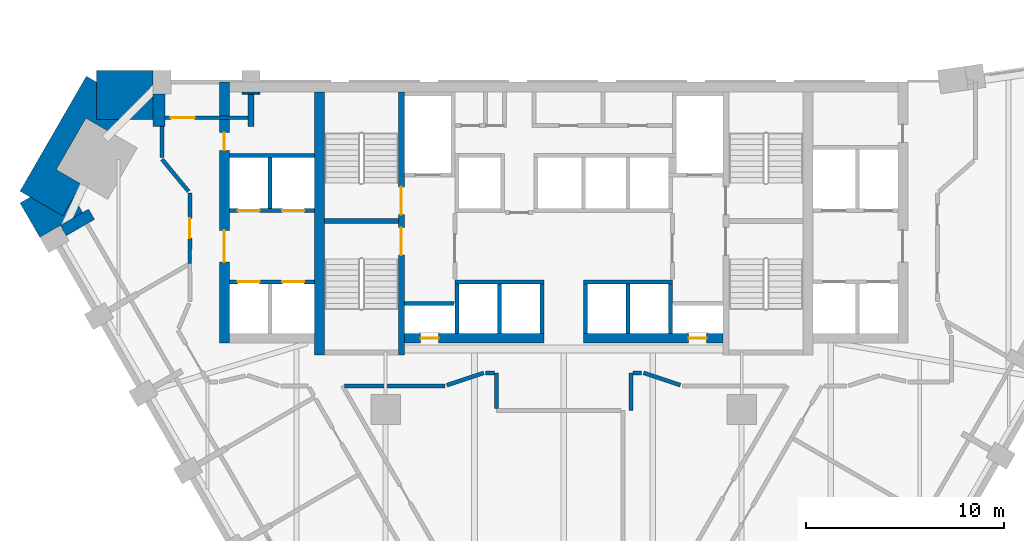
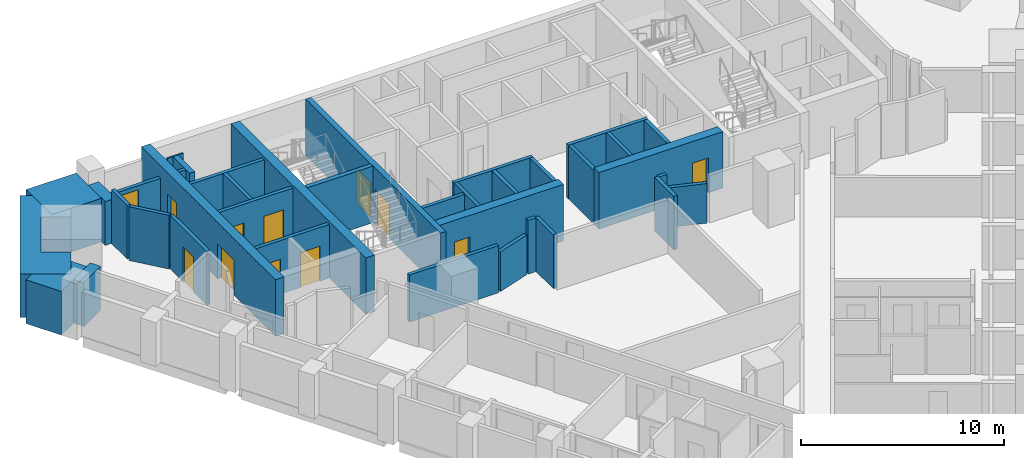
# One storey, part 6 of 10: 37 walls, 12 doors, 12 openings.
"""IFC4 building model written with IfcOpenShell, lengths in metres."""

from ifc_helpers import new_model, si_unit, direction, frame, frame_2d, origin, place, context, subcontext, project, spatial, polyline, rectangle, outline, extrude, material, layer, layer_set, type_object, element, fill, save


model = new_model("IFC4")

# Units and contexts
model_context = context("Model", 3, precision=1e-05, world=origin(), true_north=direction((0.0, 1.0)))
body_context = subcontext(model_context, "Body", "Model", "MODEL_VIEW")
ifc_project = project(units=[si_unit("LENGTHUNIT", "METRE"), si_unit("AREAUNIT", "SQUARE_METRE"), si_unit("VOLUMEUNIT", "CUBIC_METRE"), si_unit("PLANEANGLEUNIT", "RADIAN"), si_unit("MASSUNIT", "GRAM", prefix="KILO")], contexts=[model_context])

# Site, building, storey
site_placement = place(None, origin())
site = spatial("IfcSite", under=ifc_project, at=site_placement, CompositionType="ELEMENT")
building_placement = place(site_placement, origin())
building = spatial("IfcBuilding", under=site, at=building_placement, Name="Calabash Gate Tower", CompositionType="ELEMENT")
storey_placement = place(building_placement, frame((0.0, 0.0, 95.199951171875)))
storey = spatial("IfcBuildingStorey", under=building, at=storey_placement, Name="L20", CompositionType="ELEMENT", Elevation=95.199951171875)

# Walls
ifc_material_1 = material(Name="Terracotta brick masonry, exposed face", Category="masonry")
ifc_layer_1 = layer(ifc_material_1, 2.5)
ifc_layer_set_1 = layer_set([ifc_layer_1], Name="Brick corner mass wall 2500")
wall_type_1 = type_object("IfcWallType", Name="Brick corner mass wall 2500", PredefinedType="SOLIDWALL", material=ifc_layer_set_1)
wall_1_placement = place(storey_placement, origin())
element("IfcWall", 1, at=wall_1_placement, inside=storey, type_object=wall_type_1, Name="Brick corner pier S05 3a", PredefinedType="SOLIDWALL", context=body_context, shape_type="SweptSolid", body=[
    extrude(outline(polyline([(-23.610107421875, 17.152587890625), (-20.755126953125, 17.152587890625), (-20.755126953125, 19.652587890625), (-23.610107421875, 19.652587890625), (-23.610107421875, 17.152587890625)])), origin(), (0.0, 0.0, 1.0), 2.630126953125),
])
wall_2_placement = place(storey_placement, origin())
element("IfcWall", 2, at=wall_2_placement, inside=storey, type_object=wall_type_1, Name="Brick corner pier S05 3b", PredefinedType="SOLIDWALL", context=body_context, shape_type="SweptSolid", body=[
    extrude(outline(polyline([(-22.89111328125, 16.498046875), (-22.51318359375, 17.152587890625), (-23.610107421875, 17.152587890625), (-23.610107421875, 19.052490234375), (-24.1298828125, 19.3525390625), (-27.485107421875, 13.540771484375), (-25.320068359375, 12.290771484375), (-24.39111328125, 13.89990234375), (-25.652099609375, 14.6279296875), (-24.152099609375, 17.22607421875), (-22.89111328125, 16.498046875)])), origin(), (0.0, 0.0, 1.0), 2.630126953125),
])
wall_3_placement = place(storey_placement, origin())
element("IfcWall", 3, at=wall_3_placement, inside=storey, type_object=wall_type_1, Name="Brick corner pier S05 3c", PredefinedType="SOLIDWALL", context=body_context, shape_type="SweptSolid", body=[
    extrude(outline(polyline([(-24.771728515625, 13.240966796875), (-25.320068359375, 12.290771484375), (-26.965576171875, 13.240966796875), (-27.485107421875, 12.94091796875), (-26.4853515625, 11.208984375), (-24.3203125, 12.458984375), (-24.771728515625, 13.240966796875)])), origin(), (0.0, 0.0, 1.0), 2.630126953125),
])
ifc_material_2 = material(Name="Terracotta brick masonry, exposed face", Category="masonry")
ifc_layer_2 = layer(ifc_material_2, 1.199951171875)
ifc_layer_set_2 = layer_set([ifc_layer_2], Name="Brick end wall 1200")
wall_type_2 = type_object("IfcWallType", Name="Brick end wall 1200", PredefinedType="SOLIDWALL", material=ifc_layer_set_2)
wall_4_placement = place(storey_placement, origin())
element("IfcWall", 4, at=wall_4_placement, inside=storey, type_object=wall_type_2, Name="Brick pier S05 N6.7b", PredefinedType="SOLIDWALL", context=body_context, shape_type="SweptSolid", body=[
    extrude(outline(polyline([(-15.35498046875, 18.45263671875), (-15.35498046875, 18.552490234375), (-16.255126953125, 18.552490234375), (-16.255126953125, 18.45263671875), (-15.35498046875, 18.45263671875)])), origin(), (0.0, 0.0, 1.0), 2.650146484375),
])
ifc_material_3 = material(Name="Terracotta brick masonry, exposed face", Category="masonry")
ifc_layer_3 = layer(ifc_material_3, 0.300048828125)
ifc_layer_set_3 = layer_set([ifc_layer_3], Name="Brick loggia cheek wall 300")
wall_type_3 = type_object("IfcWallType", Name="Brick loggia cheek wall 300", PredefinedType="SOLIDWALL", material=ifc_layer_set_3)
wall_5_placement = place(storey_placement, frame((-25.296142578125, 11.54931640625, 0.0), z_axis=(0.0, 0.0, 1.0), x_axis=(0.866040211805, 0.499974350878, 0.0)))
element("IfcWall", 5, at=wall_5_placement, inside=storey, type_object=wall_type_3, Name="Loggia cheek S05 SW0.0", PredefinedType="SOLIDWALL", context=body_context, shape_type="SweptSolid", body=[
    extrude(rectangle(XDim=1.64990234375, YDim=0.60009765625, at=frame_2d((0.824951171875, 0.0))), origin(), (0.0, 0.0, 1.0), 2.630126953125),
])
wall_6_placement = place(storey_placement, origin())
element("IfcWall", 6, at=wall_6_placement, inside=storey, type_object=wall_type_3, Name="Loggia cheek S05 N6.7", PredefinedType="SOLIDWALL", context=body_context, shape_type="SweptSolid", body=[
    extrude(outline(polyline([(-15.655029296875, 16.802490234375), (-15.655029296875, 18.45263671875), (-15.955078125, 18.45263671875), (-15.955078125, 16.802490234375), (-15.655029296875, 16.802490234375)])), origin(), (0.0, 0.0, 1.0), 2.650146484375),
])
wall_7_placement = place(storey_placement, origin())
element("IfcWall", 7, at=wall_7_placement, inside=storey, type_object=wall_type_3, Name="Loggia cheek S05 N6.8", PredefinedType="SOLIDWALL", context=body_context, shape_type="SweptSolid", body=[
    extrude(outline(polyline([(-20.755126953125, 18.45263671875), (-20.755126953125, 16.802490234375), (-20.155029296875, 16.802490234375), (-20.155029296875, 18.45263671875), (-20.755126953125, 18.45263671875)])), origin(), (0.0, 0.0, 1.0), 2.630126953125),
])
ifc_material_4 = material(Name="Concrete C80/95", Category="concrete")
ifc_layer_4 = layer(ifc_material_4, 0.25)
ifc_layer_set_4 = layer_set([ifc_layer_4], Name="Core wall 250 Concrete C80/95")
wall_type_4 = type_object("IfcWallType", Name="Core wall 250 Concrete C80/95", PredefinedType="SHEAR", material=ifc_layer_set_4)
wall_8_placement = place(storey_placement, frame((-12.10009765625, 12.027587890625, 0.0), z_axis=(0.0, 0.0, 1.0), x_axis=(1.0, 0.0, 0.0)))
element("IfcWall", 8, at=wall_8_placement, inside=storey, type_object=wall_type_4, Name="Core wall Z2-MIDW L20", PredefinedType="SHEAR", context=body_context, shape_type="SweptSolid", body=[
    extrude(rectangle(XDim=3.75, YDim=0.25, at=frame_2d((1.875, 0.0))), origin(), (0.0, 0.0, 1.0), 3.400146484375),
])

# Wall, openings, doors
ifc_material_5 = material(Name="Concrete C80/95", Category="concrete")
ifc_layer_5 = layer(ifc_material_5, 0.300048828125)
ifc_layer_set_5 = layer_set([ifc_layer_5], Name="Core wall 300 Concrete C80/95")
wall_type_5 = type_object("IfcWallType", Name="Core wall 300 Concrete C80/95", PredefinedType="SHEAR", material=ifc_layer_set_5)
wall_9_placement = place(storey_placement, frame((-8.199951171875, 5.252685546875, 0.0), z_axis=(0.0, 0.0, 1.0), x_axis=(0.0, 1.0, 0.0)))
wall_9 = element("IfcWall", 9, at=wall_9_placement, inside=storey, type_object=wall_type_5, Name="Core wall Z2-PARTW L20", PredefinedType="SHEAR", context=body_context, shape_type="SweptSolid", body=[
    extrude(rectangle(XDim=13.2998046875, YDim=0.300048828125, at=frame_2d((6.64990234375, 0.0))), origin(), (0.0, 0.0, 1.0), 3.400146484375),
])
opening_1_placement = place(wall_9_placement, frame((7.10009765625, 0.0, 0.0)))
opening_1 = element("IfcOpeningElement", 10, at=opening_1_placement, cuts=wall_9, Name="Opening H5-014", PredefinedType="OPENING", context=body_context, shape_type="SweptSolid", body=[
    extrude(rectangle(XDim=1.39990234375, YDim=2.10009765625, at=frame_2d((0.699951171875, 1.050048828125))), frame((0.0, 0.159912109375, 0.0), z_axis=(0.0, -1.0, 0.0), x_axis=(1.0, 0.0, 0.0)), (0.0, 0.0, 1.0), 0.320068359375),
])
opening_2_placement = place(wall_9_placement, frame((5.050048828125, 0.0, 0.0)))
opening_2 = element("IfcOpeningElement", 11, at=opening_2_placement, cuts=wall_9, Name="Opening H5-015", PredefinedType="OPENING", context=body_context, shape_type="SweptSolid", body=[
    extrude(rectangle(XDim=1.39990234375, YDim=2.10009765625, at=frame_2d((0.699951171875, 1.050048828125))), frame((0.0, 0.159912109375, 0.0), z_axis=(0.0, -1.0, 0.0), x_axis=(1.0, 0.0, 0.0)), (0.0, 0.0, 1.0), 0.320068359375),
])
ifc_material_6 = material(Name="Steel fire door set with fire-resisting glazing", Category="steel")
door_type_1 = type_object("IfcDoorType", Name="Fire door D05 1400x2100 FD90", OperationType="NOTDEFINED", PredefinedType="DOOR", material=ifc_material_6)
door_1_placement = place(opening_1_placement, origin())
door_1 = element("IfcDoor", 12, at=door_1_placement, inside=storey, type_object=door_type_1, Name="Exit stair door ST1", OperationType="SINGLE_SWING_LEFT", OverallHeight=2.10009765625, OverallWidth=1.39990234375, PredefinedType="DOOR", context=body_context, shape_type="SweptSolid", body=[
    extrude(rectangle(XDim=1.39990234375, YDim=2.10009765625, at=frame_2d((0.699951171875, 1.050048828125))), frame((0.0, 0.02490234375, 0.0), z_axis=(0.0, -1.0, 0.0), x_axis=(1.0, 0.0, 0.0)), (0.0, 0.0, 1.0), 0.050048828125),
])
fill(opening_1, door_1)
door_2_placement = place(opening_2_placement, origin())
door_2 = element("IfcDoor", 13, at=door_2_placement, inside=storey, type_object=door_type_1, Name="Exit stair door ST2", OperationType="SINGLE_SWING_LEFT", OverallHeight=2.10009765625, OverallWidth=1.39990234375, PredefinedType="DOOR", context=body_context, shape_type="SweptSolid", body=[
    extrude(rectangle(XDim=1.39990234375, YDim=2.10009765625, at=frame_2d((0.699951171875, 1.050048828125))), frame((0.0, 0.02490234375, 0.0), z_axis=(0.0, -1.0, 0.0), x_axis=(1.0, 0.0, 0.0)), (0.0, 0.0, 1.0), 0.050048828125),
])
fill(opening_2, door_2)

# Wall
ifc_material_7 = material(Name="Concrete C80/95", Category="concrete")
ifc_layer_6 = layer(ifc_material_7, 0.5)
ifc_layer_set_6 = layer_set([ifc_layer_6], Name="Core wall 500 Concrete C80/95")
wall_type_6 = type_object("IfcWallType", Name="Core wall 500 Concrete C80/95", PredefinedType="SHEAR", material=ifc_layer_set_6)
wall_10_placement = place(storey_placement, frame((-12.35009765625, 5.252685546875, 0.0), z_axis=(0.0, 0.0, 1.0), x_axis=(0.0, 1.0, 0.0)))
element("IfcWall", 14, at=wall_10_placement, inside=storey, type_object=wall_type_6, Name="Core wall Z2-COLW L20", PredefinedType="SHEAR", context=body_context, shape_type="SweptSolid", body=[
    extrude(rectangle(XDim=13.2998046875, YDim=0.5, at=frame_2d((6.64990234375, 0.0))), origin(), (0.0, 0.0, 1.0), 3.400146484375),
])

# Wall, opening, door
wall_11_placement = place(storey_placement, frame((-8.050048828125, 6.1025390625, 0.0), z_axis=(0.0, 0.0, 1.0), x_axis=(1.0, 0.0, 0.0)))
wall_11 = element("IfcWall", 15, at=wall_11_placement, inside=storey, type_object=wall_type_6, Name="Core wall Z2-SA L20", PredefinedType="SHEAR", context=body_context, shape_type="SweptSolid", body=[
    extrude(rectangle(XDim=7.050048828125, YDim=0.5, at=frame_2d((3.52490234375, 0.0))), origin(), (0.0, 0.0, 1.0), 3.400146484375),
])
opening_3_placement = place(wall_11_placement, frame((0.824951171875, 0.0, 0.0)))
opening_3 = element("IfcOpeningElement", 16, at=opening_3_placement, cuts=wall_11, Name="Opening H5-013", PredefinedType="OPENING", context=body_context, shape_type="SweptSolid", body=[
    extrude(rectangle(XDim=0.89990234375, YDim=2.10009765625, at=frame_2d((0.449951171875, 1.050048828125))), frame((0.0, 0.260009765625, 0.0), z_axis=(0.0, -1.0, 0.0), x_axis=(1.0, 0.0, 0.0)), (0.0, 0.0, 1.0), 0.52001953125),
])
ifc_material_8 = material(Name="Steel fire door set with fire-resisting glazing", Category="steel")
door_type_2 = type_object("IfcDoorType", Name="Fire door D07 900x2100 FD90", OperationType="NOTDEFINED", PredefinedType="DOOR", material=ifc_material_8)
door_3_placement = place(opening_3_placement, origin())
door_3 = element("IfcDoor", 17, at=door_3_placement, inside=storey, type_object=door_type_2, Name="Electrical Riser W door", OperationType="SINGLE_SWING_LEFT", OverallHeight=2.10009765625, OverallWidth=0.89990234375, PredefinedType="DOOR", context=body_context, shape_type="SweptSolid", body=[
    extrude(rectangle(XDim=0.89990234375, YDim=2.10009765625, at=frame_2d((0.449951171875, 1.050048828125))), frame((0.0, 0.02490234375, 0.0), z_axis=(0.0, -1.0, 0.0), x_axis=(1.0, 0.0, 0.0)), (0.0, 0.0, 1.0), 0.050048828125),
])
fill(opening_3, door_3)

wall_12_placement = place(storey_placement, frame((1.0, 6.1025390625, 0.0), z_axis=(0.0, 0.0, 1.0), x_axis=(1.0, 0.0, 0.0)))
wall_12 = element("IfcWall", 18, at=wall_12_placement, inside=storey, type_object=wall_type_6, Name="Core wall Z2-SB L20", PredefinedType="SHEAR", context=body_context, shape_type="SweptSolid", body=[
    extrude(rectangle(XDim=7.050048828125, YDim=0.5, at=frame_2d((3.52490234375, 0.0))), origin(), (0.0, 0.0, 1.0), 3.400146484375),
])
opening_4_placement = place(wall_12_placement, frame((5.324951171875, 0.0, 0.0)))
opening_4 = element("IfcOpeningElement", 19, at=opening_4_placement, cuts=wall_12, Name="Opening H5-012", PredefinedType="OPENING", context=body_context, shape_type="SweptSolid", body=[
    extrude(rectangle(XDim=0.89990234375, YDim=2.10009765625, at=frame_2d((0.449951171875, 1.050048828125))), frame((0.0, 0.260009765625, 0.0), z_axis=(0.0, -1.0, 0.0), x_axis=(1.0, 0.0, 0.0)), (0.0, 0.0, 1.0), 0.52001953125),
])
door_4_placement = place(opening_4_placement, origin())
door_4 = element("IfcDoor", 20, at=door_4_placement, inside=storey, type_object=door_type_2, Name="Mechanical Riser E door", OperationType="SINGLE_SWING_RIGHT", OverallHeight=2.10009765625, OverallWidth=0.89990234375, PredefinedType="DOOR", context=body_context, shape_type="SweptSolid", body=[
    extrude(rectangle(XDim=0.89990234375, YDim=2.10009765625, at=frame_2d((0.449951171875, 1.050048828125))), frame((0.0, 0.02490234375, 0.0), z_axis=(0.0, -1.0, 0.0), x_axis=(1.0, 0.0, 0.0)), (0.0, 0.0, 1.0), 0.050048828125),
])
fill(opening_4, door_4)

# Wall, openings, doors
wall_13_placement = place(storey_placement, frame((-17.14990234375, 5.8525390625, 0.0), z_axis=(0.0, 0.0, 1.0), x_axis=(0.0, 1.0, 0.0)))
wall_13 = element("IfcWall", 21, at=wall_13_placement, inside=storey, type_object=wall_type_6, Name="Core wall Z2-ENDW L20", PredefinedType="SHEAR", context=body_context, shape_type="SweptSolid", body=[
    extrude(rectangle(XDim=13.199951171875, YDim=0.5, at=frame_2d((6.60009765625, 0.0))), origin(), (0.0, 0.0, 1.0), 3.400146484375),
])
opening_5_placement = place(wall_13_placement, frame((4.10009765625, 0.0, 0.0)))
opening_5 = element("IfcOpeningElement", 22, at=opening_5_placement, cuts=wall_13, Name="Opening H5-003", PredefinedType="OPENING", context=body_context, shape_type="SweptSolid", body=[
    extrude(rectangle(XDim=1.60009765625, YDim=2.10009765625, at=frame_2d((0.800048828125, 1.050048828125))), frame((0.0, 0.260009765625, 0.0), z_axis=(0.0, -1.0, 0.0), x_axis=(1.0, 0.0, 0.0)), (0.0, 0.0, 1.0), 0.52001953125),
])
opening_6_placement = place(wall_13_placement, frame((9.75, 0.0, 0.0)))
opening_6 = element("IfcOpeningElement", 23, at=opening_6_placement, cuts=wall_13, Name="Opening H5-004", PredefinedType="OPENING", context=body_context, shape_type="SweptSolid", body=[
    extrude(rectangle(XDim=0.89990234375, YDim=2.10009765625, at=frame_2d((0.449951171875, 1.050048828125))), frame((0.0, 0.260009765625, 0.0), z_axis=(0.0, -1.0, 0.0), x_axis=(1.0, 0.0, 0.0)), (0.0, 0.0, 1.0), 0.52001953125),
])
ifc_material_9 = material(Name="Steel fire door set with fire-resisting glazing", Category="steel")
door_type_3 = type_object("IfcDoorType", Name="Double fire door D08 1600x2100 FD60", OperationType="DOUBLE_DOOR_SINGLE_SWING", PredefinedType="DOOR", material=ifc_material_9)
door_5_placement = place(opening_5_placement, origin())
door_5 = element("IfcDoor", 24, at=door_5_placement, inside=storey, type_object=door_type_3, Name="Low-rise Lift Lobby W door", OperationType="DOUBLE_DOOR_SINGLE_SWING", OverallHeight=2.10009765625, OverallWidth=1.60009765625, PredefinedType="DOOR", context=body_context, shape_type="SweptSolid", body=[
    extrude(rectangle(XDim=1.60009765625, YDim=2.10009765625, at=frame_2d((0.800048828125, 1.050048828125))), frame((0.0, 0.02490234375, 0.0), z_axis=(0.0, -1.0, 0.0), x_axis=(1.0, 0.0, 0.0)), (0.0, 0.0, 1.0), 0.050048828125),
])
fill(opening_5, door_5)
ifc_material_10 = material(Name="Steel fire door set with fire-resisting glazing", Category="steel")
door_type_4 = type_object("IfcDoorType", Name="Fire door D06 900x2100 FD60", OperationType="NOTDEFINED", PredefinedType="DOOR", material=ifc_material_10)
door_6_placement = place(opening_6_placement, origin())
door_6 = element("IfcDoor", 25, at=door_6_placement, inside=storey, type_object=door_type_4, Name="Linen Store door", OperationType="SINGLE_SWING_RIGHT", OverallHeight=2.10009765625, OverallWidth=0.89990234375, PredefinedType="DOOR", context=body_context, shape_type="SweptSolid", body=[
    extrude(rectangle(XDim=0.89990234375, YDim=2.10009765625, at=frame_2d((0.449951171875, 1.050048828125))), frame((0.0, 0.02490234375, 0.0), z_axis=(0.0, -1.0, 0.0), x_axis=(1.0, 0.0, 0.0)), (0.0, 0.0, 1.0), 0.050048828125),
])
fill(opening_6, door_6)

# Walls
ifc_material_11 = material(Name="Gypsum board on steel studs, mineral wool", Category="steel")
ifc_layer_7 = layer(ifc_material_11, 0.199951171875)
ifc_layer_set_7 = layer_set([ifc_layer_7], Name="Partition 200 gypsum board EI 60")
wall_type_7 = type_object("IfcWallType", Name="Partition 200 gypsum board EI 60", PredefinedType="PARTITIONING", material=ifc_layer_set_7)
wall_14_placement = place(storey_placement, frame((-3.402099609375, 4.3505859375, 0.0), z_axis=(0.0, 0.0, 1.0), x_axis=(0.001086217961, -0.999999410065, 0.0)))
element("IfcWall", 26, at=wall_14_placement, inside=storey, type_object=wall_type_7, Name="Partition", PredefinedType="PARTITIONING", context=body_context, shape_type="SweptSolid", body=[
    extrude(rectangle(XDim=1.798095703125, YDim=0.199951171875, at=frame_2d((0.89892578125, 0.0))), origin(), (0.0, 0.0, 1.0), 3.22998046875),
])
wall_15_placement = place(storey_placement, frame((-11.080078125, 3.69970703125, 0.0), z_axis=(0.0, 0.0, 1.0), x_axis=(1.0, 0.0, 0.0)))
element("IfcWall", 27, at=wall_15_placement, inside=storey, type_object=wall_type_7, Name="Partition", PredefinedType="PARTITIONING", context=body_context, shape_type="SweptSolid", body=[
    extrude(rectangle(XDim=5.080078125, YDim=0.199951171875, at=frame_2d((2.5400390625, 0.0))), origin(), (0.0, 0.0, 1.0), 2.83154296875),
])
for number, where, z_axis, x_axis, name in (
    (28, (4.042236328125, 4.352294921875, 0.0), (0.0, 0.0, 1.0), (0.948695731075, -0.316190464499, 0.0), "Partition"),
    (29, (-5.905029296875, 3.7314453125, 0.0), (0.0, 0.0, 1.0), (0.948695731075, 0.316190464499, 0.0), "Partition"),
):
    element("IfcWall", number, at=place(storey_placement, frame(where, z_axis=z_axis, x_axis=x_axis)), inside=storey, type_object=wall_type_7, Name=name, PredefinedType="PARTITIONING", context=body_context, shape_type="SweptSolid", body=[
        extrude(rectangle(XDim=1.963623046875, YDim=0.199951171875, at=frame_2d((0.98193359375, 0.0))), origin(), (0.0, 0.0, 1.0), 2.384033203125),
    ])
wall_16_placement = place(storey_placement, frame((-3.9423828125, 4.35205078125, 0.0), z_axis=(0.0, 0.0, 1.0), x_axis=(0.999996159087, -0.00277160798, 0.0)))
element("IfcWall", 30, at=wall_16_placement, inside=storey, type_object=wall_type_7, Name="Partition", PredefinedType="PARTITIONING", context=body_context, shape_type="SweptSolid", body=[
    extrude(rectangle(XDim=0.4404296875, YDim=0.199951171875, at=frame_2d((0.22021484375, 0.0))), origin(), (0.0, 0.0, 1.0), 3.22998046875),
])
wall_17_placement = place(storey_placement, frame((3.400146484375, 2.452392578125, 0.0), z_axis=(0.0, 0.0, 1.0), x_axis=(0.001028938362, 0.999999470643, 0.0)))
element("IfcWall", 31, at=wall_17_placement, inside=storey, type_object=wall_type_7, Name="Partition", PredefinedType="PARTITIONING", context=body_context, shape_type="SweptSolid", body=[
    extrude(rectangle(XDim=1.898193359375, YDim=0.199951171875, at=frame_2d((0.94921875, 0.0))), origin(), (0.0, 0.0, 1.0), 3.22998046875),
])
wall_18_placement = place(storey_placement, frame((3.501953125, 4.350830078125, 0.0), z_axis=(0.0, 0.0, 1.0), x_axis=(0.999996159087, 0.00277160798, 0.0)))
element("IfcWall", 32, at=wall_18_placement, inside=storey, type_object=wall_type_7, Name="Partition", PredefinedType="PARTITIONING", context=body_context, shape_type="SweptSolid", body=[
    extrude(rectangle(XDim=0.4404296875, YDim=0.199951171875, at=frame_2d((0.22021484375, 0.0))), origin(), (0.0, 0.0, 1.0), 3.22998046875),
])

# Wall, opening, door
wall_19_placement = place(storey_placement, frame((-18.902099609375, 9.87158203125, 0.0), z_axis=(0.0, 0.0, 1.0), x_axis=(0.000477261826, 0.999999886111, 0.0)))
wall_19 = element("IfcWall", 33, at=wall_19_placement, inside=storey, type_object=wall_type_7, Name="Partition", PredefinedType="PARTITIONING", context=body_context, shape_type="SweptSolid", body=[
    extrude(rectangle(XDim=3.580810546875, YDim=0.199951171875, at=frame_2d((1.79052734375, 0.0))), origin(), (0.0, 0.0, 1.0), 3.22998046875),
])
opening_7_placement = place(wall_19_placement, frame((1.291015625, 0.0, 0.0)))
opening_7 = element("IfcOpeningElement", 34, at=opening_7_placement, cuts=wall_19, Name="Opening 19-21-020", PredefinedType="OPENING", context=body_context, shape_type="SweptSolid", body=[
    extrude(rectangle(XDim=1.0, YDim=2.10009765625, at=frame_2d((0.5, 1.050048828125))), frame((0.0, 0.10986328125, 0.0), z_axis=(0.0, -1.0, 0.0), x_axis=(1.0, 0.0, 0.0)), (0.0, 0.0, 1.0), 0.219970703125),
])
ifc_material_12 = material(Name="Steel fire door set with fire-resisting glazing", Category="steel")
door_type_5 = type_object("IfcDoorType", Name="LD2 Meeting room door 1000x2100", OperationType="NOTDEFINED", PredefinedType="DOOR", material=ifc_material_12)
door_7_placement = place(opening_7_placement, origin())
door_7 = element("IfcDoor", 35, at=door_7_placement, inside=storey, type_object=door_type_5, Name="Meeting room door", OperationType="SINGLE_SWING_RIGHT", OverallHeight=2.10009765625, OverallWidth=1.0, PredefinedType="DOOR", context=body_context, shape_type="SweptSolid", body=[
    extrude(rectangle(XDim=1.0, YDim=2.10009765625, at=frame_2d((0.5, 1.050048828125))), frame((0.0, 0.02490234375, 0.0), z_axis=(0.0, -1.0, 0.0), x_axis=(1.0, 0.0, 0.0)), (0.0, 0.0, 1.0), 0.050048828125),
])
fill(opening_7, door_7)

# Walls
wall_20_placement = place(storey_placement, frame((-20.3056640625, 15.15234375, 0.0), z_axis=(0.0, 0.0, 1.0), x_axis=(0.637157085783, -0.770733967097, 0.0)))
element("IfcWall", 36, at=wall_20_placement, inside=storey, type_object=wall_type_7, Name="Partition", PredefinedType="PARTITIONING", context=body_context, shape_type="SweptSolid", body=[
    extrude(rectangle(XDim=2.10546875, YDim=0.199951171875, at=frame_2d((1.052734375, 0.0))), origin(), (0.0, 0.0, 1.0), 3.22998046875),
])
wall_21_placement = place(storey_placement, frame((-20.3056640625, 16.802490234375, 0.0), z_axis=(0.0, 0.0, 1.0), x_axis=(0.0, -1.0, 0.0)))
element("IfcWall", 37, at=wall_21_placement, inside=storey, type_object=wall_type_7, Name="Partition", PredefinedType="PARTITIONING", context=body_context, shape_type="SweptSolid", body=[
    extrude(rectangle(XDim=1.550048828125, YDim=0.199951171875, at=frame_2d((0.77490234375, 0.0))), origin(), (0.0, 0.0, 1.0), 3.22998046875),
])
ifc_material_13 = material(Name="Concrete C40/50", Category="concrete")
ifc_layer_8 = layer(ifc_material_13, 0.199951171875)
ifc_layer_set_8 = layer_set([ifc_layer_8], Name="Shaft wall 200 Concrete C40/50")
wall_type_8 = type_object("IfcWallType", Name="Shaft wall 200 Concrete C40/50", PredefinedType="SOLIDWALL", material=ifc_layer_set_8)
for number, where, z_axis, x_axis, name in (
    (38, (-5.39990234375, 6.3525390625, 0.0), (0.0, 0.0, 1.0), (0.0, 1.0, 0.0), "Shaft wall"),
    (39, (-3.25, 6.3525390625, 0.0), (0.0, 0.0, 1.0), (0.0, 1.0, 0.0), "Shaft wall"),
    (40, (-1.10009765625, 6.3525390625, 0.0), (0.0, 0.0, 1.0), (0.0, 1.0, 0.0), "Shaft wall"),
    (41, (1.10009765625, 6.3525390625, 0.0), (0.0, 0.0, 1.0), (0.0, 1.0, 0.0), "Shaft wall"),
    (42, (3.25, 6.3525390625, 0.0), (0.0, 0.0, 1.0), (0.0, 1.0, 0.0), "Shaft wall"),
    (43, (5.39990234375, 6.3525390625, 0.0), (0.0, 0.0, 1.0), (0.0, 1.0, 0.0), "Shaft wall"),
    (44, (-8.050048828125, 7.8525390625, 0.0), (0.0, 0.0, 1.0), (1.0, 0.0, 0.0), "Shaft wall"),
):
    element("IfcWall", number, at=place(storey_placement, frame(where, z_axis=z_axis, x_axis=x_axis)), inside=storey, type_object=wall_type_8, Name=name, PredefinedType="SOLIDWALL", context=body_context, shape_type="SweptSolid", body=[
        extrude(rectangle(XDim=2.5, YDim=0.199951171875, at=frame_2d((1.25, 0.0))), origin(), (0.0, 0.0, 1.0), 3.22998046875),
    ])

# Wall, openings, doors
wall_22_placement = place(storey_placement, frame((-16.89990234375, 8.95263671875, 0.0), z_axis=(0.0, 0.0, 1.0), x_axis=(1.0, 0.0, 0.0)))
wall_22 = element("IfcWall", 45, at=wall_22_placement, inside=storey, type_object=wall_type_8, Name="Shaft wall", PredefinedType="SOLIDWALL", context=body_context, shape_type="SweptSolid", body=[
    extrude(rectangle(XDim=4.2998046875, YDim=0.199951171875, at=frame_2d((2.14990234375, 0.0))), origin(), (0.0, 0.0, 1.0), 3.22998046875),
])
opening_8_placement = place(wall_22_placement, frame((2.675048828125, 0.0, 0.0)))
opening_8 = element("IfcOpeningElement", 46, at=opening_8_placement, cuts=wall_22, Name="Opening LD-LR1", PredefinedType="OPENING", context=body_context, shape_type="SweptSolid", body=[
    extrude(rectangle(XDim=1.10009765625, YDim=2.10009765625, at=frame_2d((0.550048828125, 1.050048828125))), frame((0.0, 0.10986328125, 0.0), z_axis=(0.0, -1.0, 0.0), x_axis=(1.0, 0.0, 0.0)), (0.0, 0.0, 1.0), 0.219970703125),
])
opening_9_placement = place(wall_22_placement, frame((0.425048828125, 0.0, 0.0)))
opening_9 = element("IfcOpeningElement", 47, at=opening_9_placement, cuts=wall_22, Name="Opening LD-LR2", PredefinedType="OPENING", context=body_context, shape_type="SweptSolid", body=[
    extrude(rectangle(XDim=1.10009765625, YDim=2.10009765625, at=frame_2d((0.550048828125, 1.050048828125))), frame((0.0, 0.10986328125, 0.0), z_axis=(0.0, -1.0, 0.0), x_axis=(1.0, 0.0, 0.0)), (0.0, 0.0, 1.0), 0.219970703125),
])
ifc_material_14 = material(Name="Stainless steel sliding door leaves", Category="steel")
door_type_6 = type_object("IfcDoorType", Name="Lift landing door LS1 1100x2100 FD90", OperationType="DOUBLE_DOOR_SLIDING", PredefinedType="DOOR", material=ifc_material_14)
door_8_placement = place(opening_8_placement, origin())
door_8 = element("IfcDoor", 48, at=door_8_placement, inside=storey, type_object=door_type_6, Name="Lift landing door LR1", OperationType="DOUBLE_DOOR_SLIDING", OverallHeight=2.10009765625, OverallWidth=1.10009765625, PredefinedType="DOOR", context=body_context, shape_type="SweptSolid", body=[
    extrude(rectangle(XDim=1.10009765625, YDim=2.10009765625, at=frame_2d((0.550048828125, 1.050048828125))), frame((0.0, 0.02490234375, 0.0), z_axis=(0.0, -1.0, 0.0), x_axis=(1.0, 0.0, 0.0)), (0.0, 0.0, 1.0), 0.050048828125),
])
fill(opening_8, door_8)
door_9_placement = place(opening_9_placement, origin())
door_9 = element("IfcDoor", 49, at=door_9_placement, inside=storey, type_object=door_type_6, Name="Lift landing door LR2", OperationType="DOUBLE_DOOR_SLIDING", OverallHeight=2.10009765625, OverallWidth=1.10009765625, PredefinedType="DOOR", context=body_context, shape_type="SweptSolid", body=[
    extrude(rectangle(XDim=1.10009765625, YDim=2.10009765625, at=frame_2d((0.550048828125, 1.050048828125))), frame((0.0, 0.02490234375, 0.0), z_axis=(0.0, -1.0, 0.0), x_axis=(1.0, 0.0, 0.0)), (0.0, 0.0, 1.0), 0.050048828125),
])
fill(opening_9, door_9)

# Walls
for number, where, z_axis, x_axis, name in (
    (50, (-5.5, 8.95263671875, 0.0), (0.0, 0.0, 1.0), (1.0, 0.0, 0.0), "Shaft wall"),
    (51, (1.0, 8.95263671875, 0.0), (0.0, 0.0, 1.0), (1.0, 0.0, 0.0), "Shaft wall"),
):
    element("IfcWall", number, at=place(storey_placement, frame(where, z_axis=z_axis, x_axis=x_axis)), inside=storey, type_object=wall_type_8, Name=name, PredefinedType="SOLIDWALL", context=body_context, shape_type="SweptSolid", body=[
        extrude(rectangle(XDim=4.5, YDim=0.199951171875, at=frame_2d((2.25, 0.0))), origin(), (0.0, 0.0, 1.0), 3.22998046875),
    ])

# Wall, openings, doors
wall_23_placement = place(storey_placement, frame((-16.89990234375, 12.552490234375, 0.0), z_axis=(0.0, 0.0, 1.0), x_axis=(1.0, 0.0, 0.0)))
wall_23 = element("IfcWall", 52, at=wall_23_placement, inside=storey, type_object=wall_type_8, Name="Shaft wall", PredefinedType="SOLIDWALL", context=body_context, shape_type="SweptSolid", body=[
    extrude(rectangle(XDim=4.2998046875, YDim=0.199951171875, at=frame_2d((2.14990234375, 0.0))), origin(), (0.0, 0.0, 1.0), 3.22998046875),
])
opening_10_placement = place(wall_23_placement, frame((2.675048828125, 0.0, 0.0)))
opening_10 = element("IfcOpeningElement", 53, at=opening_10_placement, cuts=wall_23, Name="Opening LD-LR3", PredefinedType="OPENING", context=body_context, shape_type="SweptSolid", body=[
    extrude(rectangle(XDim=1.10009765625, YDim=2.10009765625, at=frame_2d((0.550048828125, 1.050048828125))), frame((0.0, 0.10986328125, 0.0), z_axis=(0.0, -1.0, 0.0), x_axis=(1.0, 0.0, 0.0)), (0.0, 0.0, 1.0), 0.219970703125),
])
opening_11_placement = place(wall_23_placement, frame((0.425048828125, 0.0, 0.0)))
opening_11 = element("IfcOpeningElement", 54, at=opening_11_placement, cuts=wall_23, Name="Opening LD-LR4", PredefinedType="OPENING", context=body_context, shape_type="SweptSolid", body=[
    extrude(rectangle(XDim=1.10009765625, YDim=2.10009765625, at=frame_2d((0.550048828125, 1.050048828125))), frame((0.0, 0.10986328125, 0.0), z_axis=(0.0, -1.0, 0.0), x_axis=(1.0, 0.0, 0.0)), (0.0, 0.0, 1.0), 0.219970703125),
])
door_10_placement = place(opening_10_placement, origin())
door_10 = element("IfcDoor", 55, at=door_10_placement, inside=storey, type_object=door_type_6, Name="Lift landing door LR3", OperationType="DOUBLE_DOOR_SLIDING", OverallHeight=2.10009765625, OverallWidth=1.10009765625, PredefinedType="DOOR", context=body_context, shape_type="SweptSolid", body=[
    extrude(rectangle(XDim=1.10009765625, YDim=2.10009765625, at=frame_2d((0.550048828125, 1.050048828125))), frame((0.0, 0.02490234375, 0.0), z_axis=(0.0, -1.0, 0.0), x_axis=(1.0, 0.0, 0.0)), (0.0, 0.0, 1.0), 0.050048828125),
])
fill(opening_10, door_10)
door_11_placement = place(opening_11_placement, origin())
door_11 = element("IfcDoor", 56, at=door_11_placement, inside=storey, type_object=door_type_6, Name="Lift landing door LR4", OperationType="DOUBLE_DOOR_SLIDING", OverallHeight=2.10009765625, OverallWidth=1.10009765625, PredefinedType="DOOR", context=body_context, shape_type="SweptSolid", body=[
    extrude(rectangle(XDim=1.10009765625, YDim=2.10009765625, at=frame_2d((0.550048828125, 1.050048828125))), frame((0.0, 0.02490234375, 0.0), z_axis=(0.0, -1.0, 0.0), x_axis=(1.0, 0.0, 0.0)), (0.0, 0.0, 1.0), 0.050048828125),
])
fill(opening_11, door_11)

# Walls
wall_24_placement = place(storey_placement, frame((-14.85009765625, 12.652587890625, 0.0), z_axis=(0.0, 0.0, 1.0), x_axis=(0.0, 1.0, 0.0)))
element("IfcWall", 57, at=wall_24_placement, inside=storey, type_object=wall_type_8, Name="Shaft wall", PredefinedType="SOLIDWALL", context=body_context, shape_type="SweptSolid", body=[
    extrude(rectangle(XDim=2.60009765625, YDim=0.199951171875, at=frame_2d((1.300048828125, 0.0))), origin(), (0.0, 0.0, 1.0), 3.22998046875),
])
wall_25_placement = place(storey_placement, frame((-16.89990234375, 15.3525390625, 0.0), z_axis=(0.0, 0.0, 1.0), x_axis=(1.0, 0.0, 0.0)))
element("IfcWall", 58, at=wall_25_placement, inside=storey, type_object=wall_type_8, Name="Shaft wall", PredefinedType="SOLIDWALL", context=body_context, shape_type="SweptSolid", body=[
    extrude(rectangle(XDim=4.2998046875, YDim=0.199951171875, at=frame_2d((2.14990234375, 0.0))), origin(), (0.0, 0.0, 1.0), 3.22998046875),
])

# Wall, opening, door
ifc_material_15 = material(Name="Aluminium framed window wall with insulated spandrel", Category="aluminium")
ifc_layer_9 = layer(ifc_material_15, 0.199951171875)
ifc_layer_set_9 = layer_set([ifc_layer_9], Name="Window wall 200")
wall_type_9 = type_object("IfcWallType", Name="Window wall 200", PredefinedType="ELEMENTEDWALL", material=ifc_layer_set_9)
wall_26_placement = place(storey_placement, frame((-15.955078125, 17.25244140625, 0.0), z_axis=(0.0, 0.0, 1.0), x_axis=(-1.0, 0.0, 0.0)))
wall_26 = element("IfcWall", 59, at=wall_26_placement, inside=storey, type_object=wall_type_9, Name="Window wall S05 N6.8", PredefinedType="ELEMENTEDWALL", context=body_context, shape_type="SweptSolid", body=[
    extrude(rectangle(XDim=4.199951171875, YDim=0.199951171875, at=frame_2d((2.10009765625, 0.0))), origin(), (0.0, 0.0, 1.0), 2.650146484375),
])
opening_12_placement = place(wall_26_placement, frame((2.699951171875, 0.0, 0.0)))
opening_12 = element("IfcOpeningElement", 60, at=opening_12_placement, cuts=wall_26, Name="Opening H5-018", PredefinedType="OPENING", context=body_context, shape_type="SweptSolid", body=[
    extrude(rectangle(XDim=1.199951171875, YDim=2.39990234375, at=frame_2d((0.60009765625, 1.199951171875))), frame((0.0, 0.10986328125, 0.0), z_axis=(0.0, -1.0, 0.0), x_axis=(1.0, 0.0, 0.0)), (0.0, 0.0, 1.0), 0.219970703125),
])
ifc_material_16 = material(Name="Anodised aluminium frame, bronze finish, impact-rated laminated clear glazing", Category="aluminium")
door_type_7 = type_object("IfcDoorType", Name="Loggia door DH1 1200x2400", OperationType="SLIDING_TO_LEFT", PredefinedType="DOOR", material=ifc_material_16)
door_12_placement = place(opening_12_placement, origin())
door_12 = element("IfcDoor", 61, at=door_12_placement, inside=storey, type_object=door_type_7, Name="Loggia door S05 N6.8", OperationType="SINGLE_SWING_LEFT", OverallHeight=2.39990234375, OverallWidth=1.199951171875, PredefinedType="DOOR", context=body_context, shape_type="SweptSolid", body=[
    extrude(rectangle(XDim=1.199951171875, YDim=2.39990234375, at=frame_2d((0.60009765625, 1.199951171875))), frame((0.0, 0.02490234375, 0.0), z_axis=(0.0, -1.0, 0.0), x_axis=(1.0, 0.0, 0.0)), (0.0, 0.0, 1.0), 0.050048828125),
])
fill(opening_12, door_12)

save(model, "model.ifc")
